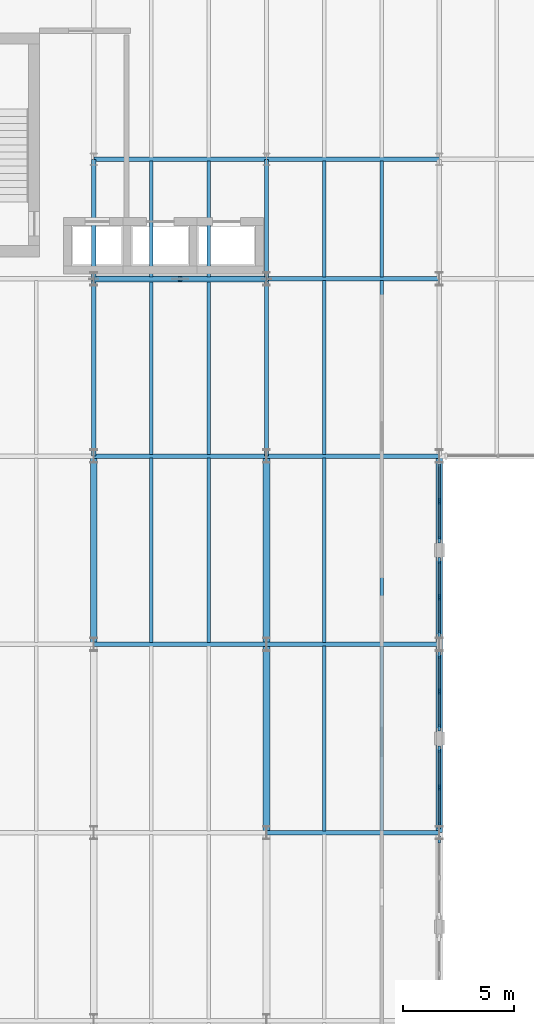
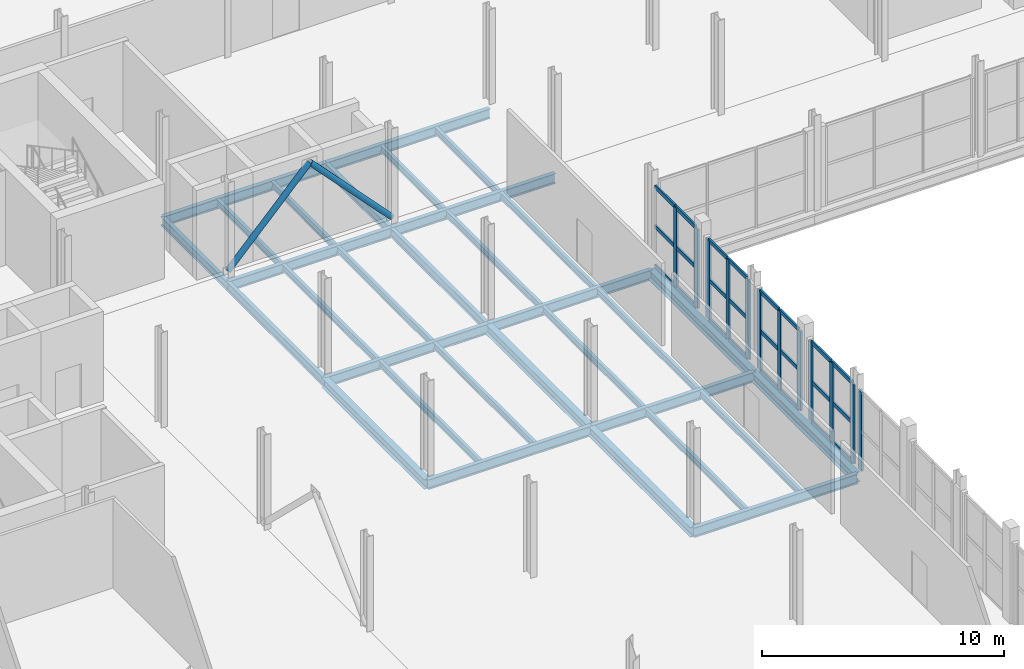
# One storey, part 24 of 63: 38 members, 32 beams, 5 elements without a shape of their own.
"""IFC4 building model written with IfcOpenShell, lengths in metres."""

from ifc_helpers import new_model, si_unit, direction, frame, origin, origin_2d, place, context, subcontext, project, spatial, rectangle, hollow_circle, i_section, extrude, material, layer, layer_set, material_profile, profile_set, type_object, element, aggregate, save


model = new_model("IFC4")

# Units and contexts
model_context = context("Model", 3, precision=1e-05, world=origin(), true_north=direction((0.0, 1.0)))
body_context = subcontext(model_context, "Body", "Model", "MODEL_VIEW")
ifc_project = project(units=[si_unit("LENGTHUNIT", "METRE"), si_unit("AREAUNIT", "SQUARE_METRE"), si_unit("VOLUMEUNIT", "CUBIC_METRE"), si_unit("PLANEANGLEUNIT", "RADIAN"), si_unit("MASSUNIT", "GRAM", prefix="KILO")], contexts=[model_context])

# Site, building, storey
site_placement = place(None, origin())
site = spatial("IfcSite", under=ifc_project, at=site_placement, CompositionType="ELEMENT")
building_placement = place(site_placement, origin())
building = spatial("IfcBuilding", under=site, at=building_placement, Name="Sefraquen Railside Congress Hotel", CompositionType="ELEMENT")
storey_placement = place(building_placement, frame((0.0, 0.0, 11.39990234375)))
storey = spatial("IfcBuildingStorey", under=building, at=storey_placement, Name="L02", CompositionType="ELEMENT", Elevation=11.39990234375)

# Beams
ifc_material_1 = material(Name="Steel S355JR", Category="steel")
ifc_material_profile_1 = material_profile(ifc_material_1, i_section(OverallWidth=0.18994140625, OverallDepth=0.449951171875, WebThickness=0.009521484375, FlangeThickness=0.0146484375, FilletRadius=0.02099609375, at=origin_2d()), Name="IPE 450")
ifc_profile_set_1 = profile_set([ifc_material_profile_1], Name="Steel S355JR")
beam_type_1 = type_object("IfcBeamType", Name="TB-BM-450", PredefinedType="BEAM", material=ifc_profile_set_1)
beam_1_placement = place(storey_placement, frame((33.0, 88.0, -0.574951171875), z_axis=(0.0, 1.0, 0.0), x_axis=(-1.0, 0.0, 0.0)))
element("IfcBeam", 1, at=beam_1_placement, inside=storey, type_object=beam_type_1, Name="Floor beam BM-L02-0864", PredefinedType="BEAM", context=body_context, shape_type="SweptSolid", body=[
    extrude(i_section(OverallWidth=0.18994140625, OverallDepth=0.449951171875, WebThickness=0.009521484375, FlangeThickness=0.0146484375, FilletRadius=0.02099609375, at=origin_2d()), origin(), (0.0, 0.0, 1.0), 8.0),
])
beam_2_placement = place(storey_placement, frame((33.0, 96.0, -0.574951171875), z_axis=(0.0, 1.0, 0.0), x_axis=(-1.0, 0.0, 0.0)))
element("IfcBeam", 2, at=beam_2_placement, inside=storey, type_object=beam_type_1, Name="Floor beam BM-L02-0865", PredefinedType="BEAM", context=body_context, shape_type="SweptSolid", body=[
    extrude(i_section(OverallWidth=0.18994140625, OverallDepth=0.449951171875, WebThickness=0.009521484375, FlangeThickness=0.0146484375, FilletRadius=0.02099609375, at=origin_2d()), origin(), (0.0, 0.0, 1.0), 5.39990234375),
])
beam_3_placement = place(storey_placement, frame((40.800048828125, 88.0, -0.574951171875), z_axis=(0.0, 1.0, 0.0), x_axis=(-1.0, 0.0, 0.0)))
element("IfcBeam", 3, at=beam_3_placement, inside=storey, type_object=beam_type_1, Name="Floor beam BM-L02-0876", PredefinedType="BEAM", context=body_context, shape_type="SweptSolid", body=[
    extrude(i_section(OverallWidth=0.18994140625, OverallDepth=0.449951171875, WebThickness=0.009521484375, FlangeThickness=0.0146484375, FilletRadius=0.02099609375, at=origin_2d()), origin(), (0.0, 0.0, 1.0), 8.0),
])
beam_4_placement = place(storey_placement, frame((40.800048828125, 96.0, -0.574951171875), z_axis=(0.0, 1.0, 0.0), x_axis=(-1.0, 0.0, 0.0)))
element("IfcBeam", 4, at=beam_4_placement, inside=storey, type_object=beam_type_1, Name="Floor beam BM-L02-0877", PredefinedType="BEAM", context=body_context, shape_type="SweptSolid", body=[
    extrude(i_section(OverallWidth=0.18994140625, OverallDepth=0.449951171875, WebThickness=0.009521484375, FlangeThickness=0.0146484375, FilletRadius=0.02099609375, at=origin_2d()), origin(), (0.0, 0.0, 1.0), 5.39990234375),
])
ifc_material_profile_2 = material_profile(ifc_material_1, i_section(OverallWidth=0.199951171875, OverallDepth=0.5, WebThickness=0.01025390625, FlangeThickness=0.01611328125, FilletRadius=0.02099609375, at=origin_2d()), Name="IPE 500")
ifc_profile_set_2 = profile_set([ifc_material_profile_2], Name="Steel S355JR")
beam_type_2 = type_object("IfcBeamType", Name="TB-BM-500", PredefinedType="BEAM", material=ifc_profile_set_2)
for number, where, z_axis, x_axis, name in (
    (5, (40.800048828125, 71.0, -0.599853515625), (1.0, 0.0, 0.0), (0.0, 1.0, 0.0), "Primary girder BM-L02-0747"),
    (6, (33.0, 79.5, -0.599853515625), (1.0, 0.0, 0.0), (0.0, 1.0, 0.0), "Primary girder BM-L02-0754"),
    (7, (40.800048828125, 79.5, -0.599853515625), (1.0, 0.0, 0.0), (0.0, 1.0, 0.0), "Primary girder BM-L02-0755"),
    (8, (33.0, 88.0, -0.599853515625), (1.0, 0.0, 0.0), (0.0, 1.0, 0.0), "Primary girder BM-L02-0762"),
    (9, (40.800048828125, 88.0, -0.599853515625), (1.0, 0.0, 0.0), (0.0, 1.0, 0.0), "Primary girder BM-L02-0763"),
    (10, (33.0, 96.0, -0.599853515625), (1.0, 0.0, 0.0), (0.0, 1.0, 0.0), "Primary girder BM-L02-0778"),
    (11, (40.800048828125, 96.0, -0.599853515625), (1.0, 0.0, 0.0), (0.0, 1.0, 0.0), "Primary girder BM-L02-0779"),
    (12, (33.0, 101.39990234375, -0.599853515625), (1.0, 0.0, 0.0), (0.0, 1.0, 0.0), "Primary girder BM-L02-0797"),
    (13, (40.800048828125, 101.39990234375, -0.599853515625), (1.0, 0.0, 0.0), (0.0, 1.0, 0.0), "Primary girder BM-L02-0798"),
):
    element("IfcBeam", number, at=place(storey_placement, frame(where, z_axis=z_axis, x_axis=x_axis)), inside=storey, type_object=beam_type_2, Name=name, PredefinedType="BEAM", context=body_context, shape_type="SweptSolid", body=[
        extrude(i_section(OverallWidth=0.199951171875, OverallDepth=0.5, WebThickness=0.01025390625, FlangeThickness=0.01611328125, FilletRadius=0.02099609375, at=origin_2d()), origin(), (0.0, 0.0, 1.0), 7.800048828125),
    ])
ifc_material_profile_3 = material_profile(ifc_material_1, i_section(OverallWidth=0.300048828125, OverallDepth=0.489990234375, WebThickness=0.011962890625, FlangeThickness=0.02294921875, FilletRadius=0.027099609375, at=origin_2d()), Name="HEA 500")
ifc_profile_set_3 = profile_set([ifc_material_profile_3], Name="Steel S355JR")
beam_type_3 = type_object("IfcBeamType", Name="TB-GIR-500", PredefinedType="T_BEAM", material=ifc_profile_set_3)
for number, where, z_axis, x_axis, name in (
    (14, (33.0, 79.5, -0.594970703125), (0.0, 1.0, 0.0), (-1.0, 0.0, 0.0), "Floor beam BM-L02-0863"),
    (15, (40.800048828125, 71.0, -0.594970703125), (0.0, 1.0, 0.0), (-1.0, 0.0, 0.0), "Floor beam BM-L02-0874"),
    (16, (40.800048828125, 79.5, -0.594970703125), (0.0, 1.0, 0.0), (-1.0, 0.0, 0.0), "Floor beam BM-L02-0875"),
    (17, (48.60009765625, 71.0, -0.594970703125), (0.0, 1.0, 0.0), (-1.0, 0.0, 0.0), "Floor beam BM-L02-0883"),
    (18, (48.60009765625, 79.5, -0.594970703125), (0.0, 1.0, 0.0), (-1.0, 0.0, 0.0), "Floor beam BM-L02-0884"),
):
    element("IfcBeam", number, at=place(storey_placement, frame(where, z_axis=z_axis, x_axis=x_axis)), inside=storey, type_object=beam_type_3, Name=name, PredefinedType="T_BEAM", context=body_context, shape_type="SweptSolid", body=[
        extrude(i_section(OverallWidth=0.300048828125, OverallDepth=0.489990234375, WebThickness=0.011962890625, FlangeThickness=0.02294921875, FilletRadius=0.027099609375, at=origin_2d()), origin(), (0.0, 0.0, 1.0), 8.5),
    ])
ifc_material_profile_4 = material_profile(ifc_material_1, i_section(OverallWidth=0.159912109375, OverallDepth=0.330078125, WebThickness=0.007568359375, FlangeThickness=0.011474609375, FilletRadius=0.01806640625, at=origin_2d()), Name="IPE 330")
ifc_profile_set_4 = profile_set([ifc_material_profile_4], Name="Steel S355JR")
beam_type_4 = type_object("IfcBeamType", Name="TB-JST-330", PredefinedType="JOIST", material=ifc_profile_set_4)
for number, where, z_axis, x_axis, name in (
    (19, (35.60009765625, 79.580078125, -0.514892578125), (0.0, 1.0, 0.0), (-1.0, 0.0, 0.0), "Composite floor joist BM-L02-J0472"),
    (20, (38.199951171875, 79.580078125, -0.514892578125), (0.0, 1.0, 0.0), (-1.0, 0.0, 0.0), "Composite floor joist BM-L02-J0473"),
):
    element("IfcBeam", number, at=place(storey_placement, frame(where, z_axis=z_axis, x_axis=x_axis)), inside=storey, type_object=beam_type_4, Name=name, PredefinedType="JOIST", context=body_context, shape_type="SweptSolid", body=[
        extrude(i_section(OverallWidth=0.159912109375, OverallDepth=0.330078125, WebThickness=0.007568359375, FlangeThickness=0.011474609375, FilletRadius=0.01806640625, at=origin_2d()), origin(), (0.0, 0.0, 1.0), 8.33984375),
    ])
for number, where, z_axis, x_axis, name in (
    (21, (35.60009765625, 88.080078125, -0.514892578125), (0.0, 1.0, 0.0), (-1.0, 0.0, 0.0), "Composite floor joist BM-L02-J0474"),
    (22, (38.199951171875, 88.080078125, -0.514892578125), (0.0, 1.0, 0.0), (-1.0, 0.0, 0.0), "Composite floor joist BM-L02-J0475"),
):
    element("IfcBeam", number, at=place(storey_placement, frame(where, z_axis=z_axis, x_axis=x_axis)), inside=storey, type_object=beam_type_4, Name=name, PredefinedType="JOIST", context=body_context, shape_type="SweptSolid", body=[
        extrude(i_section(OverallWidth=0.159912109375, OverallDepth=0.330078125, WebThickness=0.007568359375, FlangeThickness=0.011474609375, FilletRadius=0.01806640625, at=origin_2d()), origin(), (0.0, 0.0, 1.0), 7.83984375),
    ])
for number, where, z_axis, x_axis, name in (
    (23, (35.60009765625, 96.080078125, -0.514892578125), (0.0, 1.0, 0.0), (-1.0, 0.0, 0.0), "Composite floor joist BM-L02-J0476"),
    (24, (38.199951171875, 96.080078125, -0.514892578125), (0.0, 1.0, 0.0), (-1.0, 0.0, 0.0), "Composite floor joist BM-L02-J0477"),
):
    element("IfcBeam", number, at=place(storey_placement, frame(where, z_axis=z_axis, x_axis=x_axis)), inside=storey, type_object=beam_type_4, Name=name, PredefinedType="JOIST", context=body_context, shape_type="SweptSolid", body=[
        extrude(i_section(OverallWidth=0.159912109375, OverallDepth=0.330078125, WebThickness=0.007568359375, FlangeThickness=0.011474609375, FilletRadius=0.01806640625, at=origin_2d()), origin(), (0.0, 0.0, 1.0), 5.239990234375),
    ])
for number, where, z_axis, x_axis, name in (
    (25, (43.39990234375, 71.080078125, -0.514892578125), (0.0, 1.0, 0.0), (-1.0, 0.0, 0.0), "Composite floor joist BM-L02-J0488"),
    (26, (46.0, 71.080078125, -0.514892578125), (0.0, 1.0, 0.0), (-1.0, 0.0, 0.0), "Composite floor joist BM-L02-J0489"),
    (27, (43.39990234375, 79.580078125, -0.514892578125), (0.0, 1.0, 0.0), (-1.0, 0.0, 0.0), "Composite floor joist BM-L02-J0490"),
    (28, (46.0, 79.580078125, -0.514892578125), (0.0, 1.0, 0.0), (-1.0, 0.0, 0.0), "Composite floor joist BM-L02-J0491"),
):
    element("IfcBeam", number, at=place(storey_placement, frame(where, z_axis=z_axis, x_axis=x_axis)), inside=storey, type_object=beam_type_4, Name=name, PredefinedType="JOIST", context=body_context, shape_type="SweptSolid", body=[
        extrude(i_section(OverallWidth=0.159912109375, OverallDepth=0.330078125, WebThickness=0.007568359375, FlangeThickness=0.011474609375, FilletRadius=0.01806640625, at=origin_2d()), origin(), (0.0, 0.0, 1.0), 8.33984375),
    ])
for number, where, z_axis, x_axis, name in (
    (29, (43.39990234375, 88.080078125, -0.514892578125), (0.0, 1.0, 0.0), (-1.0, 0.0, 0.0), "Composite floor joist BM-L02-J0492"),
    (30, (46.0, 88.080078125, -0.514892578125), (0.0, 1.0, 0.0), (-1.0, 0.0, 0.0), "Composite floor joist BM-L02-J0493"),
):
    element("IfcBeam", number, at=place(storey_placement, frame(where, z_axis=z_axis, x_axis=x_axis)), inside=storey, type_object=beam_type_4, Name=name, PredefinedType="JOIST", context=body_context, shape_type="SweptSolid", body=[
        extrude(i_section(OverallWidth=0.159912109375, OverallDepth=0.330078125, WebThickness=0.007568359375, FlangeThickness=0.011474609375, FilletRadius=0.01806640625, at=origin_2d()), origin(), (0.0, 0.0, 1.0), 7.83984375),
    ])
for number, where, z_axis, x_axis, name in (
    (31, (43.39990234375, 96.080078125, -0.514892578125), (0.0, 1.0, 0.0), (-1.0, 0.0, 0.0), "Composite floor joist BM-L02-J0494"),
    (32, (46.0, 96.080078125, -0.514892578125), (0.0, 1.0, 0.0), (-1.0, 0.0, 0.0), "Composite floor joist BM-L02-J0495"),
):
    element("IfcBeam", number, at=place(storey_placement, frame(where, z_axis=z_axis, x_axis=x_axis)), inside=storey, type_object=beam_type_4, Name=name, PredefinedType="JOIST", context=body_context, shape_type="SweptSolid", body=[
        extrude(i_section(OverallWidth=0.159912109375, OverallDepth=0.330078125, WebThickness=0.007568359375, FlangeThickness=0.011474609375, FilletRadius=0.01806640625, at=origin_2d()), origin(), (0.0, 0.0, 1.0), 5.239990234375),
    ])

# Members
ifc_material_2 = material(Name="Steel S355J2", Category="steel")
ifc_material_profile_5 = material_profile(ifc_material_2, hollow_circle(Radius=0.136474609375, WallThickness=0.012451171875, at=origin_2d()), Name="CHS 273x12.5")
ifc_profile_set_5 = profile_set([ifc_material_profile_5], Name="Steel S355J2")
member_type_1 = type_object("IfcMemberType", Name="TM-BR-273", PredefinedType="BRACE", material=ifc_profile_set_5)
member_1_placement = place(storey_placement, frame((33.0, 96.0, 0.150146484375), z_axis=(0.687453331517, 0.0, 0.726228556989), x_axis=(0.0, 1.0, 0.0)))
element("IfcMember", 33, at=member_1_placement, inside=storey, type_object=member_type_1, Name="Chevron braced-frame diagonal BF1-L L02", PredefinedType="BRACE", context=body_context, shape_type="SweptSolid", body=[
    extrude(hollow_circle(Radius=0.136474609375, WallThickness=0.012451171875, at=origin_2d()), origin(), (0.0, 0.0, 1.0), 5.6728515625),
])
member_2_placement = place(storey_placement, frame((40.800048828125, 96.0, 0.150146484375), z_axis=(-0.687476027913, 0.0, 0.726207071739), x_axis=(0.0, -1.0, 0.0)))
element("IfcMember", 34, at=member_2_placement, inside=storey, type_object=member_type_1, Name="Chevron braced-frame diagonal BF1-R L02", PredefinedType="BRACE", context=body_context, shape_type="SweptSolid", body=[
    extrude(hollow_circle(Radius=0.136474609375, WallThickness=0.012451171875, at=origin_2d()), origin(), (0.0, 0.0, 1.0), 5.673095703125),
])

# Curtain wall, member
ifc_material_3 = material(Name="Thermally broken anodised aluminium and low-E double glazing", Category="aluminium")
ifc_layer_1 = layer(ifc_material_3, 0.199951171875)
ifc_layer_set_1 = layer_set([ifc_layer_1], Name="Thermally broken anodised aluminium and low-E double glazing")
curtain_wall_type_1 = type_object("IfcCurtainWallType", Name="TCW-UCW-30", PredefinedType="USERDEFINED", material=ifc_layer_set_1)
curtain_wall_1_placement = place(storey_placement, origin())
curtain_wall_1 = element("IfcCurtainWall", 35, at=curtain_wall_1_placement, inside=storey, type_object=curtain_wall_type_1, Name="Courtyard west gallery curtain wall L02", ObjectType="UNITISED CURTAIN WALL", PredefinedType="USERDEFINED")
ifc_material_4 = material(Name="Thermally broken anodised aluminium 6063-T6", Category="aluminium")
ifc_material_profile_6 = material_profile(ifc_material_4, rectangle(XDim=0.0849609375, YDim=0.260009765625, at=origin_2d()), Name="CWM 85x260")
ifc_profile_set_6 = profile_set([ifc_material_profile_6], Name="Thermally broken anodised aluminium 6063-T6")
member_type_2 = type_object("IfcMemberType", Name="TM-CWM-06", PredefinedType="MULLION", material=ifc_profile_set_6)
member_3_placement = place(storey_placement, frame((48.60009765625, 73.0400390625, 0.0), z_axis=(0.0, 0.0, 1.0), x_axis=(1.0, 0.0, 0.0)))
member_3 = element("IfcMember", 36, at=member_3_placement, type_object=member_type_2, Name="CW-L02-062 mullion 2", PredefinedType="MULLION", context=body_context, shape_type="SweptSolid", body=[
    extrude(rectangle(XDim=0.0849609375, YDim=0.260009765625, at=origin_2d()), origin(), (0.0, 0.0, 1.0), 3.989990234375),
])

curtain_wall_2_placement = place(storey_placement, origin())
curtain_wall_2 = element("IfcCurtainWall", 37, at=curtain_wall_2_placement, inside=storey, type_object=curtain_wall_type_1, Name="Courtyard west gallery curtain wall L02 bay 2", ObjectType="UNITISED CURTAIN WALL", PredefinedType="USERDEFINED")
member_4_placement = place(storey_placement, frame((48.60009765625, 77.375, 0.0), z_axis=(0.0, 0.0, 1.0), x_axis=(1.0, 0.0, 0.0)))
member_4 = element("IfcMember", 38, at=member_4_placement, type_object=member_type_2, Name="CW-L02-062-S2 mullion 2", PredefinedType="MULLION", context=body_context, shape_type="SweptSolid", body=[
    extrude(rectangle(XDim=0.0849609375, YDim=0.260009765625, at=origin_2d()), origin(), (0.0, 0.0, 1.0), 3.989990234375),
])

curtain_wall_3_placement = place(storey_placement, origin())
curtain_wall_3 = element("IfcCurtainWall", 39, at=curtain_wall_3_placement, inside=storey, type_object=curtain_wall_type_1, Name="Courtyard west gallery curtain wall L02 bay 3", ObjectType="UNITISED CURTAIN WALL", PredefinedType="USERDEFINED")
member_5_placement = place(storey_placement, frame((48.60009765625, 81.625, 0.0), z_axis=(0.0, 0.0, 1.0), x_axis=(1.0, 0.0, 0.0)))
member_5 = element("IfcMember", 40, at=member_5_placement, type_object=member_type_2, Name="CW-L02-062-S3 mullion 2", PredefinedType="MULLION", context=body_context, shape_type="SweptSolid", body=[
    extrude(rectangle(XDim=0.0849609375, YDim=0.260009765625, at=origin_2d()), origin(), (0.0, 0.0, 1.0), 3.989990234375),
])

curtain_wall_4_placement = place(storey_placement, origin())
curtain_wall_4 = element("IfcCurtainWall", 41, at=curtain_wall_4_placement, inside=storey, type_object=curtain_wall_type_1, Name="Courtyard west gallery curtain wall L02 bay 4", ObjectType="UNITISED CURTAIN WALL", PredefinedType="USERDEFINED")
member_6_placement = place(storey_placement, frame((48.60009765625, 85.9599609375, 0.0), z_axis=(0.0, 0.0, 1.0), x_axis=(1.0, 0.0, 0.0)))
member_6 = element("IfcMember", 42, at=member_6_placement, type_object=member_type_2, Name="CW-L02-062-S4 mullion 2", PredefinedType="MULLION", context=body_context, shape_type="SweptSolid", body=[
    extrude(rectangle(XDim=0.0849609375, YDim=0.260009765625, at=origin_2d()), origin(), (0.0, 0.0, 1.0), 3.989990234375),
])

ifc_layer_2 = layer(ifc_material_3, 0.199951171875)
ifc_layer_set_2 = layer_set([ifc_layer_2], Name="Thermally broken anodised aluminium and low-E double glazing")
curtain_wall_type_2 = type_object("IfcCurtainWallType", Name="TCW-UCW-28", PredefinedType="USERDEFINED", material=ifc_layer_set_2)
curtain_wall_5_placement = place(storey_placement, origin())
curtain_wall_5 = element("IfcCurtainWall", 43, at=curtain_wall_5_placement, inside=storey, type_object=curtain_wall_type_2, Name="Courtyard west gallery curtain wall L02 bay 4", ObjectType="UNITISED CURTAIN WALL", PredefinedType="USERDEFINED")
ifc_material_profile_7 = material_profile(ifc_material_4, rectangle(XDim=0.094970703125, YDim=0.300048828125, at=origin_2d()), Name="CWM 95x300")
ifc_profile_set_7 = profile_set([ifc_material_profile_7], Name="Thermally broken anodised aluminium 6063-T6")
member_type_3 = type_object("IfcMemberType", Name="TM-CWM-08", PredefinedType="MULLION", material=ifc_profile_set_7)
member_7_placement = place(storey_placement, frame((48.60009765625, 70.68994140625, 0.0), z_axis=(0.0, 0.0, 1.0), x_axis=(1.0, 0.0, 0.0)))
member_7 = element("IfcMember", 44, at=member_7_placement, type_object=member_type_3, Name="CW-L02-060-S4 mullion 3", PredefinedType="MULLION", context=body_context, shape_type="SweptSolid", body=[
    extrude(rectangle(XDim=0.094970703125, YDim=0.300048828125, at=origin_2d()), origin(), (0.0, 0.0, 1.0), 3.989990234375),
])
aggregate(curtain_wall_5, [member_7])

# Member
member_8_placement = place(storey_placement, frame((48.60009765625, 71.31005859375, 0.0), z_axis=(0.0, 0.0, 1.0), x_axis=(1.0, 0.0, 0.0)))
member_8 = element("IfcMember", 45, at=member_8_placement, type_object=member_type_3, Name="CW-L02-062 mullion 1", PredefinedType="MULLION", context=body_context, shape_type="SweptSolid", body=[
    extrude(rectangle(XDim=0.094970703125, YDim=0.300048828125, at=origin_2d()), origin(), (0.0, 0.0, 1.0), 3.989990234375),
])

member_9_placement = place(storey_placement, frame((48.60009765625, 74.77001953125, 0.0), z_axis=(0.0, 0.0, 1.0), x_axis=(1.0, 0.0, 0.0)))
member_9 = element("IfcMember", 46, at=member_9_placement, type_object=member_type_3, Name="CW-L02-062 mullion 3", PredefinedType="MULLION", context=body_context, shape_type="SweptSolid", body=[
    extrude(rectangle(XDim=0.094970703125, YDim=0.300048828125, at=origin_2d()), origin(), (0.0, 0.0, 1.0), 3.989990234375),
])

member_10_placement = place(storey_placement, frame((48.60009765625, 75.72998046875, 0.0), z_axis=(0.0, 0.0, 1.0), x_axis=(1.0, 0.0, 0.0)))
member_10 = element("IfcMember", 47, at=member_10_placement, type_object=member_type_3, Name="CW-L02-062-S2 mullion 1", PredefinedType="MULLION", context=body_context, shape_type="SweptSolid", body=[
    extrude(rectangle(XDim=0.094970703125, YDim=0.300048828125, at=origin_2d()), origin(), (0.0, 0.0, 1.0), 3.989990234375),
])

member_11_placement = place(storey_placement, frame((48.60009765625, 79.02001953125, 0.0), z_axis=(0.0, 0.0, 1.0), x_axis=(1.0, 0.0, 0.0)))
member_11 = element("IfcMember", 48, at=member_11_placement, type_object=member_type_3, Name="CW-L02-062-S2 mullion 3", PredefinedType="MULLION", context=body_context, shape_type="SweptSolid", body=[
    extrude(rectangle(XDim=0.094970703125, YDim=0.300048828125, at=origin_2d()), origin(), (0.0, 0.0, 1.0), 3.989990234375),
])

member_12_placement = place(storey_placement, frame((48.60009765625, 79.97998046875, 0.0), z_axis=(0.0, 0.0, 1.0), x_axis=(1.0, 0.0, 0.0)))
member_12 = element("IfcMember", 49, at=member_12_placement, type_object=member_type_3, Name="CW-L02-062-S3 mullion 1", PredefinedType="MULLION", context=body_context, shape_type="SweptSolid", body=[
    extrude(rectangle(XDim=0.094970703125, YDim=0.300048828125, at=origin_2d()), origin(), (0.0, 0.0, 1.0), 3.989990234375),
])

member_13_placement = place(storey_placement, frame((48.60009765625, 83.27001953125, 0.0), z_axis=(0.0, 0.0, 1.0), x_axis=(1.0, 0.0, 0.0)))
member_13 = element("IfcMember", 50, at=member_13_placement, type_object=member_type_3, Name="CW-L02-062-S3 mullion 3", PredefinedType="MULLION", context=body_context, shape_type="SweptSolid", body=[
    extrude(rectangle(XDim=0.094970703125, YDim=0.300048828125, at=origin_2d()), origin(), (0.0, 0.0, 1.0), 3.989990234375),
])

member_14_placement = place(storey_placement, frame((48.60009765625, 84.22998046875, 0.0), z_axis=(0.0, 0.0, 1.0), x_axis=(1.0, 0.0, 0.0)))
member_14 = element("IfcMember", 51, at=member_14_placement, type_object=member_type_3, Name="CW-L02-062-S4 mullion 1", PredefinedType="MULLION", context=body_context, shape_type="SweptSolid", body=[
    extrude(rectangle(XDim=0.094970703125, YDim=0.300048828125, at=origin_2d()), origin(), (0.0, 0.0, 1.0), 3.989990234375),
])

ifc_material_profile_8 = material_profile(ifc_material_4, rectangle(XDim=0.0849609375, YDim=0.195068359375, at=origin_2d()), Name="CWT 85x195")
ifc_profile_set_8 = profile_set([ifc_material_profile_8], Name="Thermally broken anodised aluminium 6063-T6")
member_type_4 = type_object("IfcMemberType", Name="TM-CWT-06", PredefinedType="USERDEFINED", material=ifc_profile_set_8)
member_15_placement = place(storey_placement, frame((48.60009765625, 71.35498046875, 0.0), z_axis=(0.0, 1.0, 0.0), x_axis=(-1.0, 0.0, 0.0)))
member_15 = element("IfcMember", 52, at=member_15_placement, type_object=member_type_4, Name="CW-L02-062 transom 1.1", ObjectType="TRANSOM", PredefinedType="USERDEFINED", context=body_context, shape_type="SweptSolid", body=[
    extrude(rectangle(XDim=0.0849609375, YDim=0.195068359375, at=origin_2d()), origin(), (0.0, 0.0, 1.0), 1.64013671875),
])

member_16_placement = place(storey_placement, frame((48.60009765625, 73.0849609375, 0.0), z_axis=(0.0, 1.0, 0.0), x_axis=(-1.0, 0.0, 0.0)))
member_16 = element("IfcMember", 53, at=member_16_placement, type_object=member_type_4, Name="CW-L02-062 transom 1.2", ObjectType="TRANSOM", PredefinedType="USERDEFINED", context=body_context, shape_type="SweptSolid", body=[
    extrude(rectangle(XDim=0.0849609375, YDim=0.195068359375, at=origin_2d()), origin(), (0.0, 0.0, 1.0), 1.64013671875),
])

member_17_placement = place(storey_placement, frame((48.60009765625, 71.35498046875, 1.9951171875), z_axis=(0.0, 1.0, 0.0), x_axis=(-1.0, 0.0, 0.0)))
member_17 = element("IfcMember", 54, at=member_17_placement, type_object=member_type_4, Name="CW-L02-062 transom 2.1", ObjectType="TRANSOM", PredefinedType="USERDEFINED", context=body_context, shape_type="SweptSolid", body=[
    extrude(rectangle(XDim=0.0849609375, YDim=0.195068359375, at=origin_2d()), origin(), (0.0, 0.0, 1.0), 1.64013671875),
])

member_18_placement = place(storey_placement, frame((48.60009765625, 73.0849609375, 1.9951171875), z_axis=(0.0, 1.0, 0.0), x_axis=(-1.0, 0.0, 0.0)))
member_18 = element("IfcMember", 55, at=member_18_placement, type_object=member_type_4, Name="CW-L02-062 transom 2.2", ObjectType="TRANSOM", PredefinedType="USERDEFINED", context=body_context, shape_type="SweptSolid", body=[
    extrude(rectangle(XDim=0.0849609375, YDim=0.195068359375, at=origin_2d()), origin(), (0.0, 0.0, 1.0), 1.64013671875),
])

member_19_placement = place(storey_placement, frame((48.60009765625, 71.35498046875, 3.989990234375), z_axis=(0.0, 1.0, 0.0), x_axis=(-1.0, 0.0, 0.0)))
member_19 = element("IfcMember", 56, at=member_19_placement, type_object=member_type_4, Name="CW-L02-062 transom 3.1", ObjectType="TRANSOM", PredefinedType="USERDEFINED", context=body_context, shape_type="SweptSolid", body=[
    extrude(rectangle(XDim=0.0849609375, YDim=0.195068359375, at=origin_2d()), origin(), (0.0, 0.0, 1.0), 1.64013671875),
])

member_20_placement = place(storey_placement, frame((48.60009765625, 73.0849609375, 3.989990234375), z_axis=(0.0, 1.0, 0.0), x_axis=(-1.0, 0.0, 0.0)))
member_20 = element("IfcMember", 57, at=member_20_placement, type_object=member_type_4, Name="CW-L02-062 transom 3.2", ObjectType="TRANSOM", PredefinedType="USERDEFINED", context=body_context, shape_type="SweptSolid", body=[
    extrude(rectangle(XDim=0.0849609375, YDim=0.195068359375, at=origin_2d()), origin(), (0.0, 0.0, 1.0), 1.64013671875),
])

aggregate(curtain_wall_1, [member_8, member_3, member_9, member_15, member_16, member_17, member_18, member_19, member_20])

member_21_placement = place(storey_placement, frame((48.60009765625, 75.77490234375, 0.0), z_axis=(0.0, 1.0, 0.0), x_axis=(-1.0, 0.0, 0.0)))
member_21 = element("IfcMember", 58, at=member_21_placement, type_object=member_type_4, Name="CW-L02-062-S2 transom 1.1", ObjectType="TRANSOM", PredefinedType="USERDEFINED", context=body_context, shape_type="SweptSolid", body=[
    extrude(rectangle(XDim=0.0849609375, YDim=0.195068359375, at=origin_2d()), origin(), (0.0, 0.0, 1.0), 1.55517578125),
])

member_22_placement = place(storey_placement, frame((48.60009765625, 77.419921875, 0.0), z_axis=(0.0, 1.0, 0.0), x_axis=(-1.0, 0.0, 0.0)))
member_22 = element("IfcMember", 59, at=member_22_placement, type_object=member_type_4, Name="CW-L02-062-S2 transom 1.2", ObjectType="TRANSOM", PredefinedType="USERDEFINED", context=body_context, shape_type="SweptSolid", body=[
    extrude(rectangle(XDim=0.0849609375, YDim=0.195068359375, at=origin_2d()), origin(), (0.0, 0.0, 1.0), 1.55517578125),
])

member_23_placement = place(storey_placement, frame((48.60009765625, 75.77490234375, 1.9951171875), z_axis=(0.0, 1.0, 0.0), x_axis=(-1.0, 0.0, 0.0)))
member_23 = element("IfcMember", 60, at=member_23_placement, type_object=member_type_4, Name="CW-L02-062-S2 transom 2.1", ObjectType="TRANSOM", PredefinedType="USERDEFINED", context=body_context, shape_type="SweptSolid", body=[
    extrude(rectangle(XDim=0.0849609375, YDim=0.195068359375, at=origin_2d()), origin(), (0.0, 0.0, 1.0), 1.55517578125),
])

member_24_placement = place(storey_placement, frame((48.60009765625, 77.419921875, 1.9951171875), z_axis=(0.0, 1.0, 0.0), x_axis=(-1.0, 0.0, 0.0)))
member_24 = element("IfcMember", 61, at=member_24_placement, type_object=member_type_4, Name="CW-L02-062-S2 transom 2.2", ObjectType="TRANSOM", PredefinedType="USERDEFINED", context=body_context, shape_type="SweptSolid", body=[
    extrude(rectangle(XDim=0.0849609375, YDim=0.195068359375, at=origin_2d()), origin(), (0.0, 0.0, 1.0), 1.55517578125),
])

member_25_placement = place(storey_placement, frame((48.60009765625, 75.77490234375, 3.989990234375), z_axis=(0.0, 1.0, 0.0), x_axis=(-1.0, 0.0, 0.0)))
member_25 = element("IfcMember", 62, at=member_25_placement, type_object=member_type_4, Name="CW-L02-062-S2 transom 3.1", ObjectType="TRANSOM", PredefinedType="USERDEFINED", context=body_context, shape_type="SweptSolid", body=[
    extrude(rectangle(XDim=0.0849609375, YDim=0.195068359375, at=origin_2d()), origin(), (0.0, 0.0, 1.0), 1.55517578125),
])

member_26_placement = place(storey_placement, frame((48.60009765625, 77.419921875, 3.989990234375), z_axis=(0.0, 1.0, 0.0), x_axis=(-1.0, 0.0, 0.0)))
member_26 = element("IfcMember", 63, at=member_26_placement, type_object=member_type_4, Name="CW-L02-062-S2 transom 3.2", ObjectType="TRANSOM", PredefinedType="USERDEFINED", context=body_context, shape_type="SweptSolid", body=[
    extrude(rectangle(XDim=0.0849609375, YDim=0.195068359375, at=origin_2d()), origin(), (0.0, 0.0, 1.0), 1.55517578125),
])

aggregate(curtain_wall_2, [member_10, member_4, member_11, member_21, member_22, member_23, member_24, member_25, member_26])

member_27_placement = place(storey_placement, frame((48.60009765625, 80.02490234375, 0.0), z_axis=(0.0, 1.0, 0.0), x_axis=(-1.0, 0.0, 0.0)))
member_27 = element("IfcMember", 64, at=member_27_placement, type_object=member_type_4, Name="CW-L02-062-S3 transom 1.1", ObjectType="TRANSOM", PredefinedType="USERDEFINED", context=body_context, shape_type="SweptSolid", body=[
    extrude(rectangle(XDim=0.0849609375, YDim=0.195068359375, at=origin_2d()), origin(), (0.0, 0.0, 1.0), 1.55517578125),
])

member_28_placement = place(storey_placement, frame((48.60009765625, 81.669921875, 0.0), z_axis=(0.0, 1.0, 0.0), x_axis=(-1.0, 0.0, 0.0)))
member_28 = element("IfcMember", 65, at=member_28_placement, type_object=member_type_4, Name="CW-L02-062-S3 transom 1.2", ObjectType="TRANSOM", PredefinedType="USERDEFINED", context=body_context, shape_type="SweptSolid", body=[
    extrude(rectangle(XDim=0.0849609375, YDim=0.195068359375, at=origin_2d()), origin(), (0.0, 0.0, 1.0), 1.55517578125),
])

member_29_placement = place(storey_placement, frame((48.60009765625, 80.02490234375, 1.9951171875), z_axis=(0.0, 1.0, 0.0), x_axis=(-1.0, 0.0, 0.0)))
member_29 = element("IfcMember", 66, at=member_29_placement, type_object=member_type_4, Name="CW-L02-062-S3 transom 2.1", ObjectType="TRANSOM", PredefinedType="USERDEFINED", context=body_context, shape_type="SweptSolid", body=[
    extrude(rectangle(XDim=0.0849609375, YDim=0.195068359375, at=origin_2d()), origin(), (0.0, 0.0, 1.0), 1.55517578125),
])

member_30_placement = place(storey_placement, frame((48.60009765625, 81.669921875, 1.9951171875), z_axis=(0.0, 1.0, 0.0), x_axis=(-1.0, 0.0, 0.0)))
member_30 = element("IfcMember", 67, at=member_30_placement, type_object=member_type_4, Name="CW-L02-062-S3 transom 2.2", ObjectType="TRANSOM", PredefinedType="USERDEFINED", context=body_context, shape_type="SweptSolid", body=[
    extrude(rectangle(XDim=0.0849609375, YDim=0.195068359375, at=origin_2d()), origin(), (0.0, 0.0, 1.0), 1.55517578125),
])

member_31_placement = place(storey_placement, frame((48.60009765625, 80.02490234375, 3.989990234375), z_axis=(0.0, 1.0, 0.0), x_axis=(-1.0, 0.0, 0.0)))
member_31 = element("IfcMember", 68, at=member_31_placement, type_object=member_type_4, Name="CW-L02-062-S3 transom 3.1", ObjectType="TRANSOM", PredefinedType="USERDEFINED", context=body_context, shape_type="SweptSolid", body=[
    extrude(rectangle(XDim=0.0849609375, YDim=0.195068359375, at=origin_2d()), origin(), (0.0, 0.0, 1.0), 1.55517578125),
])

member_32_placement = place(storey_placement, frame((48.60009765625, 81.669921875, 3.989990234375), z_axis=(0.0, 1.0, 0.0), x_axis=(-1.0, 0.0, 0.0)))
member_32 = element("IfcMember", 69, at=member_32_placement, type_object=member_type_4, Name="CW-L02-062-S3 transom 3.2", ObjectType="TRANSOM", PredefinedType="USERDEFINED", context=body_context, shape_type="SweptSolid", body=[
    extrude(rectangle(XDim=0.0849609375, YDim=0.195068359375, at=origin_2d()), origin(), (0.0, 0.0, 1.0), 1.55517578125),
])

aggregate(curtain_wall_3, [member_12, member_5, member_13, member_27, member_28, member_29, member_30, member_31, member_32])

member_33_placement = place(storey_placement, frame((48.60009765625, 84.27490234375, 0.0), z_axis=(0.0, 1.0, 0.0), x_axis=(-1.0, 0.0, 0.0)))
member_33 = element("IfcMember", 70, at=member_33_placement, type_object=member_type_4, Name="CW-L02-062-S4 transom 1.1", ObjectType="TRANSOM", PredefinedType="USERDEFINED", context=body_context, shape_type="SweptSolid", body=[
    extrude(rectangle(XDim=0.0849609375, YDim=0.195068359375, at=origin_2d()), origin(), (0.0, 0.0, 1.0), 1.64013671875),
])

member_34_placement = place(storey_placement, frame((48.60009765625, 86.0048828125, 0.0), z_axis=(0.0, 1.0, 0.0), x_axis=(-1.0, 0.0, 0.0)))
member_34 = element("IfcMember", 71, at=member_34_placement, type_object=member_type_4, Name="CW-L02-062-S4 transom 1.2", ObjectType="TRANSOM", PredefinedType="USERDEFINED", context=body_context, shape_type="SweptSolid", body=[
    extrude(rectangle(XDim=0.0849609375, YDim=0.195068359375, at=origin_2d()), origin(), (0.0, 0.0, 1.0), 1.64013671875),
])

member_35_placement = place(storey_placement, frame((48.60009765625, 84.27490234375, 1.9951171875), z_axis=(0.0, 1.0, 0.0), x_axis=(-1.0, 0.0, 0.0)))
member_35 = element("IfcMember", 72, at=member_35_placement, type_object=member_type_4, Name="CW-L02-062-S4 transom 2.1", ObjectType="TRANSOM", PredefinedType="USERDEFINED", context=body_context, shape_type="SweptSolid", body=[
    extrude(rectangle(XDim=0.0849609375, YDim=0.195068359375, at=origin_2d()), origin(), (0.0, 0.0, 1.0), 1.64013671875),
])

member_36_placement = place(storey_placement, frame((48.60009765625, 86.0048828125, 1.9951171875), z_axis=(0.0, 1.0, 0.0), x_axis=(-1.0, 0.0, 0.0)))
member_36 = element("IfcMember", 73, at=member_36_placement, type_object=member_type_4, Name="CW-L02-062-S4 transom 2.2", ObjectType="TRANSOM", PredefinedType="USERDEFINED", context=body_context, shape_type="SweptSolid", body=[
    extrude(rectangle(XDim=0.0849609375, YDim=0.195068359375, at=origin_2d()), origin(), (0.0, 0.0, 1.0), 1.64013671875),
])

member_37_placement = place(storey_placement, frame((48.60009765625, 84.27490234375, 3.989990234375), z_axis=(0.0, 1.0, 0.0), x_axis=(-1.0, 0.0, 0.0)))
member_37 = element("IfcMember", 74, at=member_37_placement, type_object=member_type_4, Name="CW-L02-062-S4 transom 3.1", ObjectType="TRANSOM", PredefinedType="USERDEFINED", context=body_context, shape_type="SweptSolid", body=[
    extrude(rectangle(XDim=0.0849609375, YDim=0.195068359375, at=origin_2d()), origin(), (0.0, 0.0, 1.0), 1.64013671875),
])

member_38_placement = place(storey_placement, frame((48.60009765625, 86.0048828125, 3.989990234375), z_axis=(0.0, 1.0, 0.0), x_axis=(-1.0, 0.0, 0.0)))
member_38 = element("IfcMember", 75, at=member_38_placement, type_object=member_type_4, Name="CW-L02-062-S4 transom 3.2", ObjectType="TRANSOM", PredefinedType="USERDEFINED", context=body_context, shape_type="SweptSolid", body=[
    extrude(rectangle(XDim=0.0849609375, YDim=0.195068359375, at=origin_2d()), origin(), (0.0, 0.0, 1.0), 1.64013671875),
])

aggregate(curtain_wall_4, [member_14, member_6, member_33, member_34, member_35, member_36, member_37, member_38])

save(model, "model.ifc")
